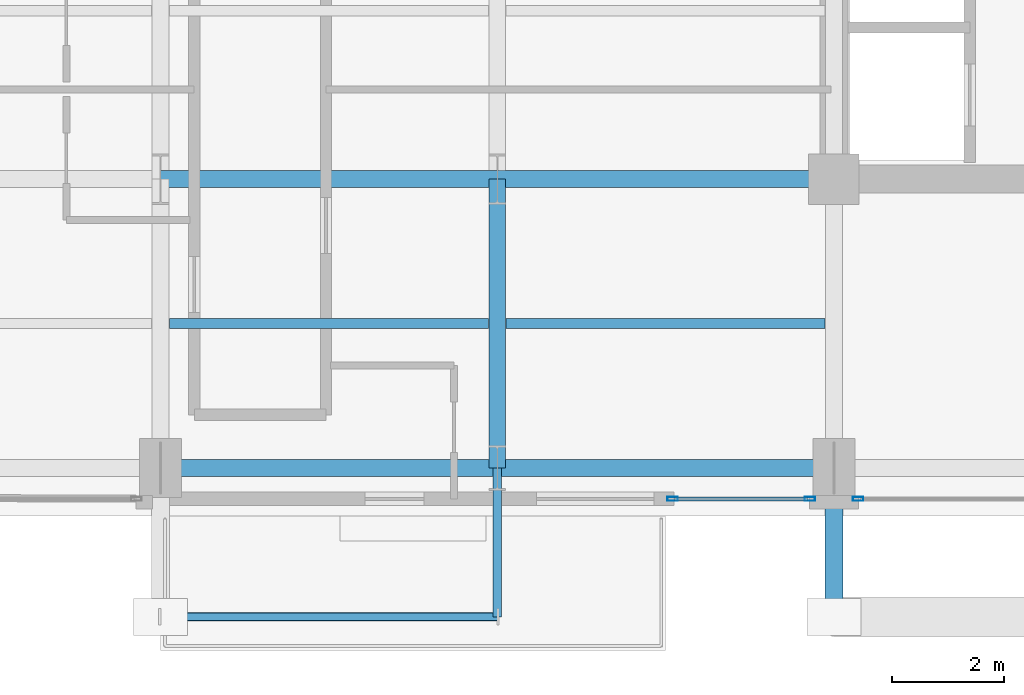
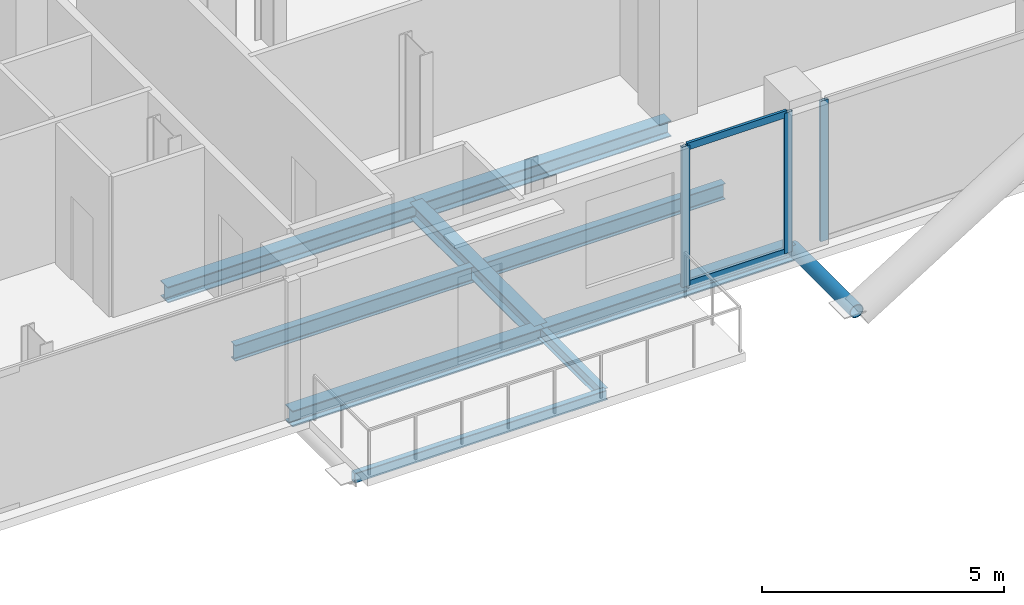
# One storey, part 4 of 21: 9 beams, 6 members, 2 elements without a shape of their own.
"""IFC4 building model written with IfcOpenShell, lengths in metres."""

from ifc_helpers import new_model, si_unit, direction, frame, origin, origin_2d, place, context, subcontext, project, spatial, hollow_rectangle, hollow_circle, i_section, extrude, material, layer, layer_set, material_profile, profile_set, type_object, element, aggregate, save


model = new_model("IFC4")

# Units and contexts
model_context = context("Model", 3, precision=1e-05, world=origin(), true_north=direction((0.0, 1.0)))
body_context = subcontext(model_context, "Body", "Model", "MODEL_VIEW")
ifc_project = project(units=[si_unit("LENGTHUNIT", "METRE"), si_unit("AREAUNIT", "SQUARE_METRE"), si_unit("VOLUMEUNIT", "CUBIC_METRE"), si_unit("PLANEANGLEUNIT", "RADIAN"), si_unit("MASSUNIT", "GRAM", prefix="KILO"), si_unit("THERMODYNAMICTEMPERATUREUNIT", "KELVIN"), si_unit("POWERUNIT", "WATT")], contexts=[model_context])

# Site, building, storey
site_placement = place(None, origin())
site = spatial("IfcSite", under=ifc_project, at=site_placement, CompositionType="ELEMENT")
building_placement = place(site_placement, origin())
building = spatial("IfcBuilding", under=site, at=building_placement, Name="Svarakhadi Broadcast Tower", CompositionType="ELEMENT")
storey_placement = place(building_placement, frame((0.0, 0.0, 208.64990234375)))
storey = spatial("IfcBuildingStorey", under=building, at=storey_placement, Name="L51", CompositionType="ELEMENT", Elevation=208.64990234375)

# Beams
ifc_material_1 = material(Name="Steel S355J2 (IS 2062 E350C)", Category="steel")
ifc_material_profile_1 = material_profile(ifc_material_1, i_section(OverallWidth=0.179931640625, OverallDepth=0.39990234375, WebThickness=0.008544921875, FlangeThickness=0.013427734375, FilletRadius=0.02099609375, at=origin_2d()), Name="NPB 400x180x66")
ifc_profile_set_1 = profile_set([ifc_material_profile_1], Name="Steel S355J2 (IS 2062 E350C)")
beam_type_1 = type_object("IfcBeamType", Name="Beam_NPB400", PredefinedType="BEAM", material=ifc_profile_set_1)
for number, where, z_axis, x_axis, name in (
    (1, (12.159912109375, 3.425048828125, -0.409912109375), (1.0, 0.0, 0.0), (0.0, 1.0, 0.0), "L51 Secondary Composite Beam SB009"),
    (2, (18.159912109375, 3.425048828125, -0.409912109375), (1.0, 0.0, 0.0), (0.0, 1.0, 0.0), "L51 Secondary Composite Beam SB013"),
):
    element("IfcBeam", number, at=place(storey_placement, frame(where, z_axis=z_axis, x_axis=x_axis)), inside=storey, type_object=beam_type_1, Name=name, PredefinedType="BEAM", context=body_context, shape_type="SweptSolid", body=[
        extrude(i_section(OverallWidth=0.179931640625, OverallDepth=0.39990234375, WebThickness=0.008544921875, FlangeThickness=0.013427734375, FilletRadius=0.02099609375, at=origin_2d()), origin(), (0.0, 0.0, 1.0), 5.68017578125),
    ])

# Curtain wall, member
ifc_material_2 = material(Name="Anodised Bronze Aluminium AA 6063-T6", Category="aluminium")
ifc_layer = layer(ifc_material_2, 0.18994140625)
ifc_layer_set = layer_set([ifc_layer], Name="Anodised Bronze Aluminium AA 6063-T6")
curtain_wall_type = type_object("IfcCurtainWallType", Name="CW_Sys_04", PredefinedType="NOTDEFINED", material=ifc_layer_set)
curtain_wall_1_placement = place(storey_placement, origin())
curtain_wall_1 = element("IfcCurtainWall", 3, at=curtain_wall_1_placement, inside=storey, type_object=curtain_wall_type, Name="L51 South Curtain Wall 16 Bay 3", PredefinedType="NOTDEFINED")
ifc_material_profile_2 = material_profile(ifc_material_2, hollow_rectangle(XDim=0.070068359375, YDim=0.18994140625, WallThickness=0.005615234375, at=origin_2d()), Name="ALU MULLION 190x70x6")
ifc_profile_set_2 = profile_set([ifc_material_profile_2], Name="Anodised Bronze Aluminium AA 6063-T6")
member_type_1 = type_object("IfcMemberType", Name="CW_Sys_04_Mul", PredefinedType="MULLION", material=ifc_profile_set_2)
member_1_placement = place(storey_placement, frame((24.429931640625, 0.300048828125, 0.0), z_axis=(0.0, 0.0, 1.0), x_axis=(0.0, -1.0, 0.0)))
member_1 = element("IfcMember", 4, at=member_1_placement, type_object=member_type_1, Name="CW-04 mullion 2", PredefinedType="MULLION", context=body_context, shape_type="SweptSolid", body=[
    extrude(hollow_rectangle(XDim=0.070068359375, YDim=0.18994140625, WallThickness=0.005615234375, at=origin_2d()), origin(), (0.0, 0.0, 1.0), 3.5400390625),
])
aggregate(curtain_wall_1, [member_1])

# Curtain wall, members
curtain_wall_2_placement = place(storey_placement, origin())
curtain_wall_2 = element("IfcCurtainWall", 5, at=curtain_wall_2_placement, inside=storey, type_object=curtain_wall_type, Name="L51 South Curtain Wall 16 Bay 4", PredefinedType="NOTDEFINED")
member_2_placement = place(storey_placement, frame((23.570068359375, 0.300048828125, 0.0), z_axis=(0.0, 0.0, 1.0), x_axis=(0.0, -1.0, 0.0)))
member_2 = element("IfcMember", 6, at=member_2_placement, type_object=member_type_1, Name="CW-04 mullion 1", PredefinedType="MULLION", context=body_context, shape_type="SweptSolid", body=[
    extrude(hollow_rectangle(XDim=0.070068359375, YDim=0.18994140625, WallThickness=0.005615234375, at=origin_2d()), origin(), (0.0, 0.0, 1.0), 3.5400390625),
])
member_3_placement = place(storey_placement, frame((21.125, 0.300048828125, 0.0), z_axis=(0.0, 0.0, 1.0), x_axis=(0.0, -1.0, 0.0)))
member_3 = element("IfcMember", 7, at=member_3_placement, type_object=member_type_1, Name="CW-04 mullion 2", PredefinedType="MULLION", context=body_context, shape_type="SweptSolid", body=[
    extrude(hollow_rectangle(XDim=0.070068359375, YDim=0.18994140625, WallThickness=0.005615234375, at=origin_2d()), origin(), (0.0, 0.0, 1.0), 3.5400390625),
])
ifc_material_profile_3 = material_profile(ifc_material_2, hollow_rectangle(XDim=0.06494140625, YDim=0.175048828125, WallThickness=0.0048828125, at=origin_2d()), Name="ALU TRANSOM 175x65x5")
ifc_profile_set_3 = profile_set([ifc_material_profile_3], Name="Anodised Bronze Aluminium AA 6063-T6")
member_type_2 = type_object("IfcMemberType", Name="CW_Sys_04_Trn", PredefinedType="USERDEFINED", material=ifc_profile_set_3)
member_4_placement = place(storey_placement, frame((23.534912109375, 0.300048828125, 0.03271484375), z_axis=(-1.0, 0.0, 0.0), x_axis=(0.0, -1.0, 0.0)))
member_4 = element("IfcMember", 8, at=member_4_placement, type_object=member_type_2, Name="CW-04 transom 1.1", ObjectType="TRANSOM", PredefinedType="USERDEFINED", context=body_context, shape_type="SweptSolid", body=[
    extrude(hollow_rectangle(XDim=0.06494140625, YDim=0.175048828125, WallThickness=0.0048828125, at=origin_2d()), origin(), (0.0, 0.0, 1.0), 2.375),
])
member_5_placement = place(storey_placement, frame((23.534912109375, 0.300048828125, 3.507568359375), z_axis=(-1.0, 0.0, 0.0), x_axis=(0.0, -1.0, 0.0)))
member_5 = element("IfcMember", 9, at=member_5_placement, type_object=member_type_2, Name="CW-04 transom 1.2", ObjectType="TRANSOM", PredefinedType="USERDEFINED", context=body_context, shape_type="SweptSolid", body=[
    extrude(hollow_rectangle(XDim=0.06494140625, YDim=0.175048828125, WallThickness=0.0048828125, at=origin_2d()), origin(), (0.0, 0.0, 1.0), 2.375),
])
aggregate(curtain_wall_2, [member_2, member_3, member_4, member_5])

# Member
ifc_material_3 = material(Name="Steel S460ML (IS 2062 E450BR)", Category="steel")
ifc_material_profile_4 = material_profile(ifc_material_3, hollow_circle(Radius=0.161865234375, WallThickness=0.01611328125, at=origin_2d()), Name="CHS 323.9x16")
ifc_profile_set_4 = profile_set([ifc_material_profile_4], Name="Steel S460ML (IS 2062 E450BR)")
member_type_3 = type_object("IfcMemberType", Name="Exo_Radial_Strut_Z2", PredefinedType="STRUT", material=ifc_profile_set_4)
member_6_placement = place(storey_placement, frame((24.0, -1.800048828125, -0.371826171875), z_axis=(0.0, 1.0, 0.0), x_axis=(-1.0, 0.0, 0.0)))
element("IfcMember", 10, at=member_6_placement, inside=storey, type_object=member_type_3, Name="L51 Exoskeleton Radial Tie Strut S02", PredefinedType="STRUT", context=body_context, shape_type="SweptSolid", body=[
    extrude(hollow_circle(Radius=0.161865234375, WallThickness=0.01611328125, at=origin_2d()), origin(), (0.0, 0.0, 1.0), 2.650146484375),
])

# Beams
ifc_material_profile_5 = material_profile(ifc_material_1, i_section(OverallWidth=0.300048828125, OverallDepth=0.39990234375, WebThickness=0.013427734375, FlangeThickness=0.02392578125, FilletRadius=0.027099609375, at=origin_2d()), Name="WPB 400x300x155")
ifc_profile_set_5 = profile_set([ifc_material_profile_5], Name="Steel S355J2 (IS 2062 E350C)")
beam_type_2 = type_object("IfcBeamType", Name="Girder_WPB400", PredefinedType="USERDEFINED", material=ifc_profile_set_5)
for number, where, z_axis, x_axis, name in (
    (11, (12.0, 0.85009765625, -0.409912109375), (1.0, 0.0, 0.0), (0.0, 1.0, 0.0), "L51 Primary E-W Girder G005"),
    (12, (18.0, 0.85009765625, -0.409912109375), (1.0, 0.0, 0.0), (0.0, 1.0, 0.0), "L51 Primary E-W Girder G006"),
    (13, (12.0, 6.0, -0.409912109375), (1.0, 0.0, 0.0), (0.0, 1.0, 0.0), "L51 Primary E-W Girder G011"),
    (14, (18.0, 6.0, -0.409912109375), (1.0, 0.0, 0.0), (0.0, 1.0, 0.0), "L51 Primary E-W Girder G012"),
):
    element("IfcBeam", number, at=place(storey_placement, frame(where, z_axis=z_axis, x_axis=x_axis)), inside=storey, type_object=beam_type_2, Name=name, ObjectType="GIRDER", PredefinedType="USERDEFINED", context=body_context, shape_type="SweptSolid", body=[
        extrude(i_section(OverallWidth=0.300048828125, OverallDepth=0.39990234375, WebThickness=0.013427734375, FlangeThickness=0.02392578125, FilletRadius=0.027099609375, at=origin_2d()), origin(), (0.0, 0.0, 1.0), 6.0),
    ])
beam_1_placement = place(storey_placement, frame((18.0, 0.85009765625, -0.409912109375), z_axis=(0.0, 1.0, 0.0), x_axis=(-1.0, 0.0, 0.0)))
element("IfcBeam", 15, at=beam_1_placement, inside=storey, type_object=beam_type_2, Name="L51 Primary N-S Girder G046", ObjectType="GIRDER", PredefinedType="USERDEFINED", context=body_context, shape_type="SweptSolid", body=[
    extrude(i_section(OverallWidth=0.300048828125, OverallDepth=0.39990234375, WebThickness=0.013427734375, FlangeThickness=0.02392578125, FilletRadius=0.027099609375, at=origin_2d()), origin(), (0.0, 0.0, 1.0), 5.14990234375),
])
ifc_material_profile_6 = material_profile(ifc_material_1, i_section(OverallWidth=0.14990234375, OverallDepth=0.300048828125, WebThickness=0.007080078125, FlangeThickness=0.0107421875, FilletRadius=0.014892578125, at=origin_2d()), Name="NPB 300x150x37")
ifc_profile_set_6 = profile_set([ifc_material_profile_6], Name="Steel S355J2 (IS 2062 E350C)")
beam_type_3 = type_object("IfcBeamType", Name="Spandrel_NPB300", PredefinedType="SPANDREL", material=ifc_profile_set_6)
beam_2_placement = place(storey_placement, frame((18.0, 0.85009765625, -0.375), z_axis=(0.0, -1.0, 0.0), x_axis=(1.0, 0.0, 0.0)))
element("IfcBeam", 16, at=beam_2_placement, inside=storey, type_object=beam_type_3, Name="L51 Balcony Cantilever Bracket 1B", PredefinedType="SPANDREL", context=body_context, shape_type="SweptSolid", body=[
    extrude(i_section(OverallWidth=0.14990234375, OverallDepth=0.300048828125, WebThickness=0.007080078125, FlangeThickness=0.0107421875, FilletRadius=0.014892578125, at=origin_2d()), origin(), (0.0, 0.0, 1.0), 2.650146484375),
])
ifc_material_profile_7 = material_profile(ifc_material_3, hollow_rectangle(XDim=0.14990234375, YDim=0.25, WallThickness=0.010009765625, InnerFilletRadius=0.010009765625, OuterFilletRadius=0.02001953125, at=origin_2d()), Name="RHS 250x150x10")
ifc_profile_set_7 = profile_set([ifc_material_profile_7], Name="Steel S460ML (IS 2062 E450BR)")
beam_type_4 = type_object("IfcBeamType", Name="Spandrel_RHS250", PredefinedType="SPANDREL", material=ifc_profile_set_7)
beam_3_placement = place(storey_placement, frame((12.0, -1.800048828125, -0.349853515625), z_axis=(1.0, 0.0, 0.0), x_axis=(0.0, 1.0, 0.0)))
element("IfcBeam", 17, at=beam_3_placement, inside=storey, type_object=beam_type_4, Name="L51 Balcony Outer Spandrel 1F", PredefinedType="SPANDREL", context=body_context, shape_type="SweptSolid", body=[
    extrude(hollow_rectangle(XDim=0.14990234375, YDim=0.25, WallThickness=0.010009765625, InnerFilletRadius=0.010009765625, OuterFilletRadius=0.02001953125, at=origin_2d()), origin(), (0.0, 0.0, 1.0), 6.0),
])

save(model, "model.ifc")
